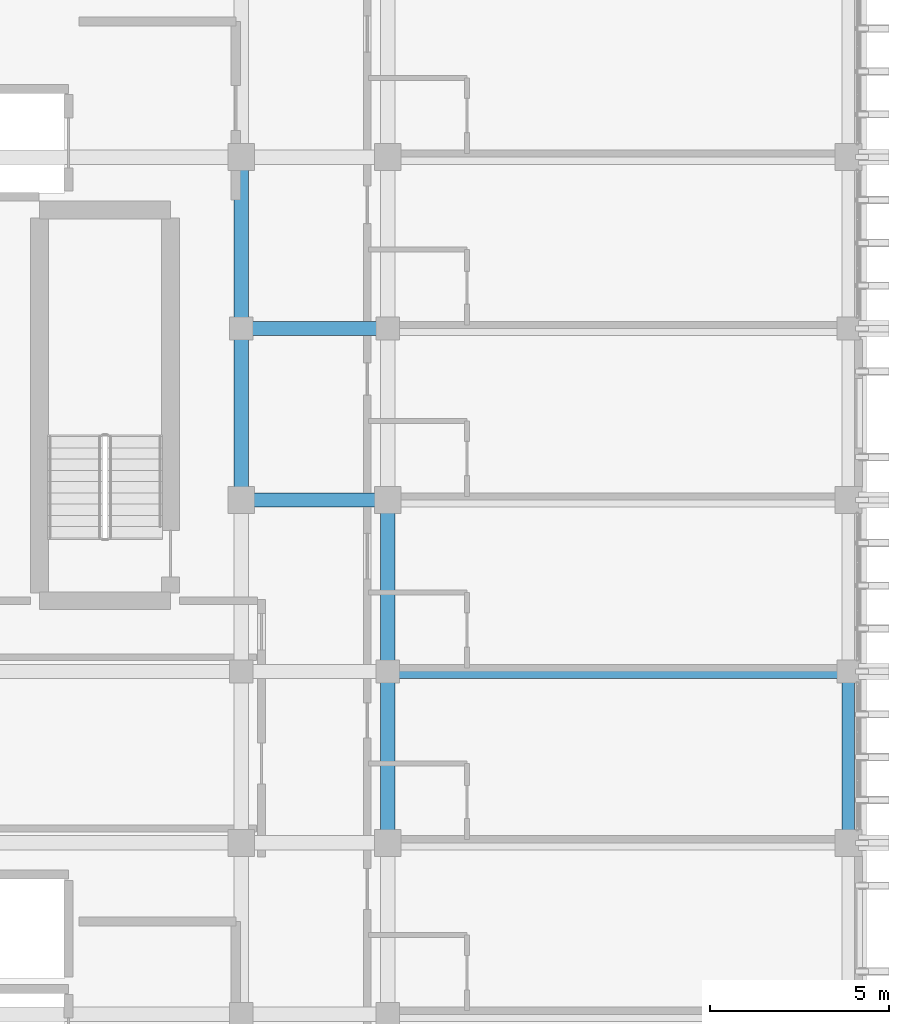
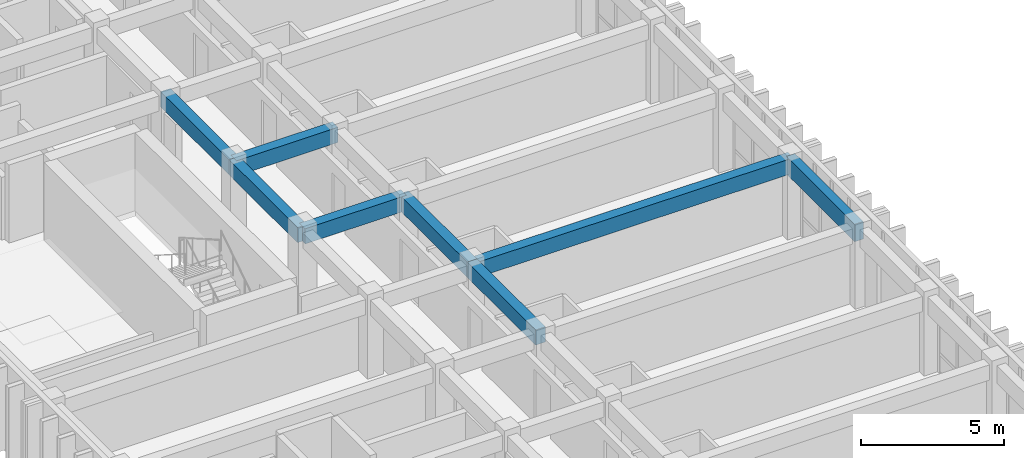
# One storey, part 37 of 64: 8 beams.
"""IFC4 building model written with IfcOpenShell, lengths in metres."""

from ifc_helpers import new_model, si_unit, direction, frame, origin, origin_2d, place, context, subcontext, project, spatial, rectangle, extrude, material, material_profile, profile_set, type_object, element, save


model = new_model("IFC4")

# Units and contexts
model_context = context("Model", 3, precision=1e-05, world=origin(), true_north=direction((0.0, 1.0)))
body_context = subcontext(model_context, "Body", "Model", "MODEL_VIEW")
ifc_project = project(units=[si_unit("LENGTHUNIT", "METRE"), si_unit("AREAUNIT", "SQUARE_METRE"), si_unit("VOLUMEUNIT", "CUBIC_METRE"), si_unit("PLANEANGLEUNIT", "RADIAN"), si_unit("MASSUNIT", "GRAM", prefix="KILO")], contexts=[model_context])

# Site, building, storey
site_placement = place(None, origin())
site = spatial("IfcSite", under=ifc_project, at=site_placement, CompositionType="ELEMENT")
building_placement = place(site_placement, origin())
building = spatial("IfcBuilding", under=site, at=building_placement, Name="Nakhvara Creek Congress Hotel", CompositionType="ELEMENT")
storey_placement = place(building_placement, frame((0.0, 0.0, 28.199951171875)))
storey = spatial("IfcBuildingStorey", under=building, at=storey_placement, Name="L06", CompositionType="ELEMENT", Elevation=28.199951171875)

# Beams
ifc_material = material(Name="Concrete C40/50", Category="concrete")
ifc_material_profile_1 = material_profile(ifc_material, rectangle(XDim=0.39990234375, YDim=0.64990234375, at=origin_2d()), Name="RC-BM 400x650", Category="LoadBearing")
ifc_profile_set_1 = profile_set([ifc_material_profile_1], Name="Concrete C40/50")
beam_type_1 = type_object("IfcBeamType", Name="BM-RC-400X650", PredefinedType="BEAM", material=ifc_profile_set_1)
beam_1_placement = place(storey_placement, frame((162.35009765625, 105.60009765625, 3.01513671875), z_axis=(1.0, 0.0, 0.0), x_axis=(0.0, 1.0, 0.0)))
element("IfcBeam", 1, at=beam_1_placement, inside=storey, type_object=beam_type_1, Name="Beam B06-L06-2239", PredefinedType="BEAM", context=body_context, shape_type="SweptSolid", body=[
    extrude(rectangle(XDim=0.39990234375, YDim=0.64990234375, at=origin_2d()), origin(), (0.0, 0.0, 1.0), 4.099853515625),
])
beam_2_placement = place(storey_placement, frame((162.35009765625, 105.60009765625, 3.01513671875), z_axis=(0.0, 1.0, 0.0), x_axis=(-1.0, 0.0, 0.0)))
element("IfcBeam", 2, at=beam_2_placement, inside=storey, type_object=beam_type_1, Name="Beam B06-L06-2241", PredefinedType="BEAM", context=body_context, shape_type="SweptSolid", body=[
    extrude(rectangle(XDim=0.39990234375, YDim=0.64990234375, at=origin_2d()), origin(), (0.0, 0.0, 1.0), 4.7998046875),
])
for number, where, z_axis, x_axis, name in (
    (3, (162.35009765625, 110.39990234375, 3.01513671875), (0.0, 1.0, 0.0), (-1.0, 0.0, 0.0), "Beam B06-L06-2243"),
    (4, (166.449951171875, 96.0, 3.01513671875), (0.0, 1.0, 0.0), (-1.0, 0.0, 0.0), "Beam B06-L06-2266"),
    (5, (166.449951171875, 100.800048828125, 3.01513671875), (0.0, 1.0, 0.0), (-1.0, 0.0, 0.0), "Beam B06-L06-2268"),
):
    element("IfcBeam", number, at=place(storey_placement, frame(where, z_axis=z_axis, x_axis=x_axis)), inside=storey, type_object=beam_type_1, Name=name, PredefinedType="BEAM", context=body_context, shape_type="SweptSolid", body=[
        extrude(rectangle(XDim=0.39990234375, YDim=0.64990234375, at=origin_2d()), origin(), (0.0, 0.0, 1.0), 4.800048828125),
    ])
beam_3_placement = place(storey_placement, frame((162.35009765625, 110.39990234375, 3.01513671875), z_axis=(1.0, 0.0, 0.0), x_axis=(0.0, 1.0, 0.0)))
element("IfcBeam", 6, at=beam_3_placement, inside=storey, type_object=beam_type_1, Name="Beam B06-L06-2307", PredefinedType="BEAM", context=body_context, shape_type="SweptSolid", body=[
    extrude(rectangle(XDim=0.39990234375, YDim=0.64990234375, at=origin_2d()), origin(), (0.0, 0.0, 1.0), 4.099853515625),
])
beam_4_placement = place(storey_placement, frame((166.449951171875, 100.800048828125, 3.01513671875), z_axis=(1.0, 0.0, 0.0), x_axis=(0.0, 1.0, 0.0)))
element("IfcBeam", 7, at=beam_4_placement, inside=storey, type_object=beam_type_1, Name="Beam B06-L06-2315", PredefinedType="BEAM", context=body_context, shape_type="SweptSolid", body=[
    extrude(rectangle(XDim=0.39990234375, YDim=0.64990234375, at=origin_2d()), origin(), (0.0, 0.0, 1.0), 12.900146484375),
])
ifc_material_profile_2 = material_profile(ifc_material, rectangle(XDim=0.35009765625, YDim=0.75, at=origin_2d()), Name="RC-SPANDREL 350x750", Category="LoadBearing")
ifc_profile_set_2 = profile_set([ifc_material_profile_2], Name="Concrete C40/50")
beam_type_2 = type_object("IfcBeamType", Name="BM-SPN-350X750", PredefinedType="SPANDREL", material=ifc_profile_set_2)
beam_5_placement = place(storey_placement, frame((179.35009765625, 96.0, 2.965087890625), z_axis=(0.0, 1.0, 0.0), x_axis=(-1.0, 0.0, 0.0)))
element("IfcBeam", 8, at=beam_5_placement, inside=storey, type_object=beam_type_2, Name="Beam SP1-L06-2287", PredefinedType="SPANDREL", context=body_context, shape_type="SweptSolid", body=[
    extrude(rectangle(XDim=0.35009765625, YDim=0.75, at=origin_2d()), origin(), (0.0, 0.0, 1.0), 4.800048828125),
])

save(model, "model.ifc")
